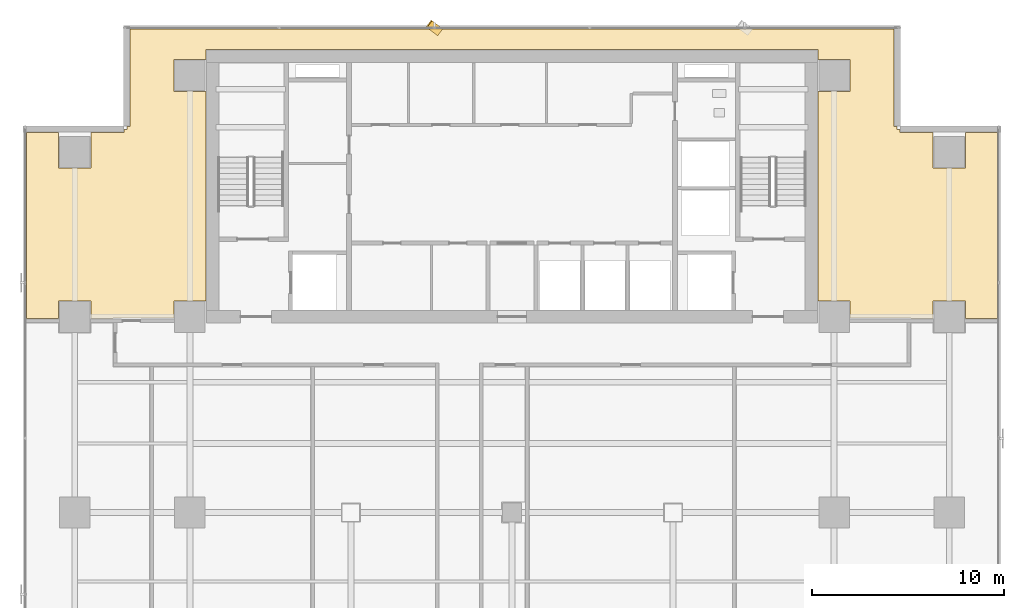
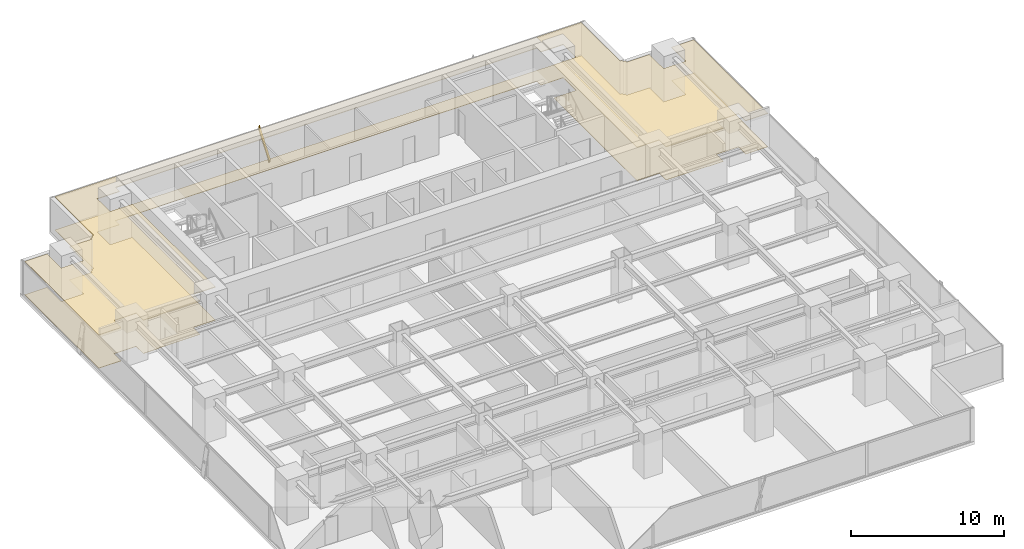
# One storey, part 34 of 36: 2 coverings, 1 shading device.
"""IFC4 building model written with IfcOpenShell, lengths in metres."""

from ifc_helpers import new_model, si_unit, direction, frame, origin, origin_2d, place, context, subcontext, project, spatial, polyline, rectangle, outline, extrude, source, transform, mapped, material, layer, layer_set, material_profile, profile_set, type_object, element, save


model = new_model("IFC4")

# Units and contexts
model_context = context("Model", 3, precision=1e-05, world=origin(), true_north=direction((0.0, 1.0)))
body_context = subcontext(model_context, "Body", "Model", "MODEL_VIEW")
ifc_project = project(units=[si_unit("LENGTHUNIT", "METRE"), si_unit("AREAUNIT", "SQUARE_METRE"), si_unit("VOLUMEUNIT", "CUBIC_METRE"), si_unit("PLANEANGLEUNIT", "RADIAN"), si_unit("MASSUNIT", "GRAM", prefix="KILO")], contexts=[model_context])

# Site, building, storey
site_placement = place(None, origin())
site = spatial("IfcSite", under=ifc_project, at=site_placement, CompositionType="ELEMENT")
building_placement = place(site_placement, origin())
building = spatial("IfcBuilding", under=site, at=building_placement, Name="Sumidabori Civic Tower", CompositionType="ELEMENT")
storey_placement = place(building_placement, frame((0.0, 0.0, 120.800048828125)))
storey = spatial("IfcBuildingStorey", under=building, at=storey_placement, Name="L31", CompositionType="ELEMENT", Elevation=120.800048828125)

# Coverings
ifc_material_1 = material(Name="Perforated Timber Acoustic Ceiling", Category="wood")
ifc_layer_1 = layer(ifc_material_1, 0.044921875, Name="Perforated Timber Acoustic Ceiling")
ifc_layer_set_1 = layer_set([ifc_layer_1], Name="Perforated Timber Acoustic Ceiling")
covering_type_1 = type_object("IfcCoveringType", Name="CV-CEIL-AC2", PredefinedType="CEILING", material=ifc_layer_set_1)
covering_1_placement = place(storey_placement, frame((0.0, 0.0, 2.64990234375)))
element("IfcCovering", 1, at=covering_1_placement, inside=storey, type_object=covering_type_1, Name="Room Acoustic Ceiling L31-01", PredefinedType="CEILING", context=body_context, shape_type="SweptSolid", body=[
    extrude(outline(polyline([(-23.639892578125, 17.9599609375), (-21.9599609375, 17.9599609375), (-21.9599609375, 19.822021484375), (-20.241943359375, 19.822021484375), (-20.241943359375, 19.97998046875), (-20.080078125, 19.97998046875), (-20.080078125, 20.14208984375), (-19.922119140625, 20.14208984375), (-19.922119140625, 25.22998046875), (19.922119140625, 25.22998046875), (19.922119140625, 20.14208984375), (20.080078125, 20.14208984375), (20.080078125, 19.97998046875), (20.241943359375, 19.97998046875), (20.241943359375, 19.822021484375), (21.9599609375, 19.822021484375), (21.9599609375, 17.9599609375), (23.639892578125, 17.9599609375), (23.639892578125, 19.822021484375), (25.330078125, 19.822021484375), (25.330078125, 10.110107421875), (23.639892578125, 10.110107421875), (23.639892578125, 11.0400390625), (21.9599609375, 11.0400390625), (21.9599609375, 10.110107421875), (20.800048828125, 10.110107421875), (20.800048828125, 10.14990234375), (17.639892578125, 10.14990234375), (17.639892578125, 11.0400390625), (15.952880859375, 11.0400390625), (15.952880859375, 21.9599609375), (17.639892578125, 21.9599609375), (17.639892578125, 23.639892578125), (15.952880859375, 23.639892578125), (15.952880859375, 24.153076171875), (-15.952880859375, 24.153076171875), (-15.952880859375, 23.639892578125), (-17.639892578125, 23.639892578125), (-17.639892578125, 21.9599609375), (-15.952880859375, 21.9599609375), (-15.952880859375, 11.0400390625), (-17.639892578125, 11.0400390625), (-17.639892578125, 10.14990234375), (-20.800048828125, 10.14990234375), (-20.800048828125, 10.110107421875), (-21.9599609375, 10.110107421875), (-21.9599609375, 11.0400390625), (-23.639892578125, 11.0400390625), (-23.639892578125, 10.110107421875), (-25.330078125, 10.110107421875), (-25.330078125, 19.822021484375), (-23.639892578125, 19.822021484375), (-23.639892578125, 17.9599609375)])), origin(), (0.0, 0.0, 1.0), 0.045166015625),
])
ifc_material_2 = material(Name="Honed Terrazzo Tile Flooring")
ifc_layer_2 = layer(ifc_material_2, 0.030029296875, Name="Honed Terrazzo Tile Flooring")
ifc_layer_set_2 = layer_set([ifc_layer_2], Name="Honed Terrazzo Tile Flooring")
covering_type_2 = type_object("IfcCoveringType", Name="CV-FLR-TER", PredefinedType="FLOORING", material=ifc_layer_set_2)
covering_2_placement = place(storey_placement, origin())
element("IfcCovering", 2, at=covering_2_placement, inside=storey, type_object=covering_type_2, Name="Room Terrazzo Floor L31-01", PredefinedType="FLOORING", context=body_context, shape_type="SweptSolid", body=[
    extrude(outline(polyline([(-23.639892578125, 17.9599609375), (-21.9599609375, 17.9599609375), (-21.9599609375, 19.822021484375), (-20.241943359375, 19.822021484375), (-20.241943359375, 19.97998046875), (-20.080078125, 19.97998046875), (-20.080078125, 20.14208984375), (-19.922119140625, 20.14208984375), (-19.922119140625, 25.22998046875), (19.922119140625, 25.22998046875), (19.922119140625, 20.14208984375), (20.080078125, 20.14208984375), (20.080078125, 19.97998046875), (20.241943359375, 19.97998046875), (20.241943359375, 19.822021484375), (21.9599609375, 19.822021484375), (21.9599609375, 17.9599609375), (23.639892578125, 17.9599609375), (23.639892578125, 19.822021484375), (25.330078125, 19.822021484375), (25.330078125, 10.110107421875), (23.639892578125, 10.110107421875), (23.639892578125, 11.0400390625), (21.9599609375, 11.0400390625), (21.9599609375, 10.110107421875), (20.800048828125, 10.110107421875), (20.800048828125, 10.14990234375), (17.639892578125, 10.14990234375), (17.639892578125, 11.0400390625), (15.952880859375, 11.0400390625), (15.952880859375, 21.9599609375), (17.639892578125, 21.9599609375), (17.639892578125, 23.639892578125), (15.952880859375, 23.639892578125), (15.952880859375, 24.153076171875), (-15.952880859375, 24.153076171875), (-15.952880859375, 23.639892578125), (-17.639892578125, 23.639892578125), (-17.639892578125, 21.9599609375), (-15.952880859375, 21.9599609375), (-15.952880859375, 11.0400390625), (-17.639892578125, 11.0400390625), (-17.639892578125, 10.14990234375), (-20.800048828125, 10.14990234375), (-20.800048828125, 10.110107421875), (-21.9599609375, 10.110107421875), (-21.9599609375, 11.0400390625), (-23.639892578125, 11.0400390625), (-23.639892578125, 10.110107421875), (-25.330078125, 10.110107421875), (-25.330078125, 19.822021484375), (-23.639892578125, 19.822021484375), (-23.639892578125, 17.9599609375)])), origin(), (0.0, 0.0, 1.0), 0.030029296875),
])

# Shading device
ifc_material_3 = material(Name="Anodised Bronze Aluminium AW-6063-T6", Category="aluminium")
ifc_material_profile = material_profile(ifc_material_3, rectangle(XDim=0.06005859375, YDim=0.449951171875, at=origin_2d()), Name="BRONZE FIN 450x60")
ifc_profile_set = profile_set([ifc_material_profile], Name="Anodised Bronze Aluminium AW-6063-T6")
shading_device_type = type_object("IfcShadingDeviceType", Name="SH-FIN-450", PredefinedType="USERDEFINED", material=ifc_profile_set)
shared_shape = source(origin(), body_context, "Body", "SweptSolid", [
    extrude(rectangle(XDim=0.06005859375, YDim=0.449951171875, at=origin_2d()), origin(), (0.0, 0.0, 1.0), 2.711669921875),
])
shading_device_placement = place(storey_placement, frame((-3.763916015625, 25.070068359375, 0.02001953125), z_axis=(-0.206528258987, 0.154851179363, 0.966109305664), x_axis=(0.772968305533, -0.579557753059, 0.258133317319)))
element("IfcShadingDevice", 3, at=shading_device_placement, inside=storey, type_object=shading_device_type, Name="Bronze Anodised Diagonal Fin L31-03", ObjectType="FIN", PredefinedType="USERDEFINED", context=body_context, shape_type="MappedRepresentation", body=[
    mapped(shared_shape, transform((0.0, 0.0, 0.0), x_axis=(1.0, 0.0, 0.0), y_axis=(0.0, 1.0, 0.0), z_axis=(0.0, 0.0, 1.0), scale=1.0)),
])

save(model, "model.ifc")
